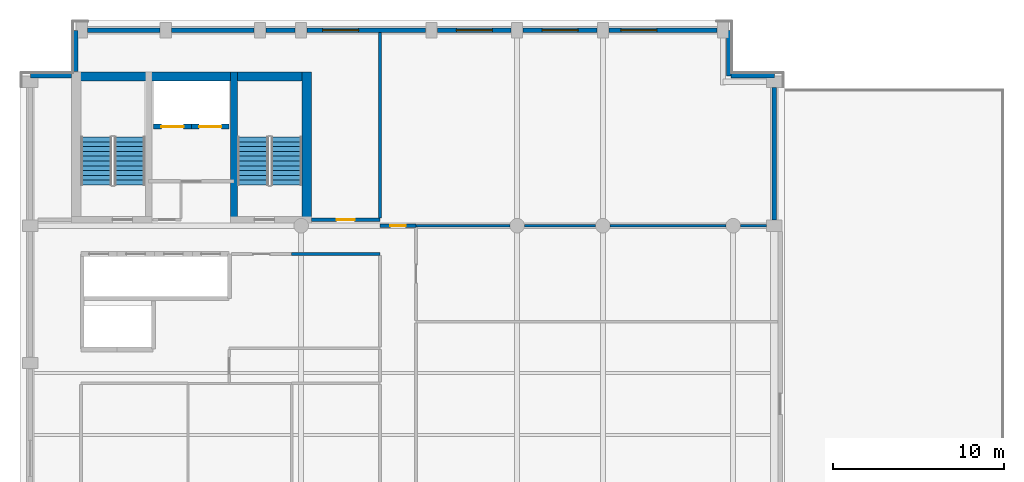
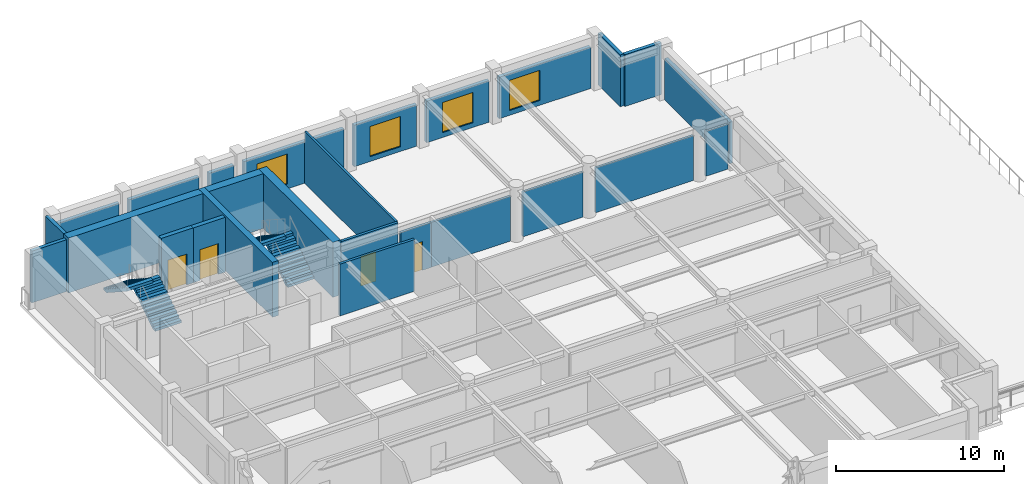
# One storey, part 6 of 9: 25 walls, 4 doors, 4 stair flights, 4 windows, 8 openings, 2 elements without a shape of their own.
"""IFC4 building model written with IfcOpenShell, lengths in metres."""

from ifc_helpers import new_model, si_unit, direction, frame, frame_2d, origin, place, context, subcontext, project, spatial, polyline, rectangle, outline, extrude, material, layer, layer_set, type_object, element, fill, aggregate, save


model = new_model("IFC4")

# Units and contexts
model_context = context("Model", 3, precision=1e-05, world=origin(), true_north=direction((0.0, 1.0)))
body_context = subcontext(model_context, "Body", "Model", "MODEL_VIEW")
ifc_project = project(units=[si_unit("LENGTHUNIT", "METRE"), si_unit("AREAUNIT", "SQUARE_METRE"), si_unit("VOLUMEUNIT", "CUBIC_METRE"), si_unit("PLANEANGLEUNIT", "RADIAN"), si_unit("MASSUNIT", "GRAM", prefix="KILO")], contexts=[model_context])

# Site, building, storey
site_placement = place(None, origin())
site = spatial("IfcSite", under=ifc_project, at=site_placement, CompositionType="ELEMENT")
building_placement = place(site_placement, origin())
building = spatial("IfcBuilding", under=site, at=building_placement, Name="Sulina Concourse Tower", CompositionType="ELEMENT")
storey_placement = place(building_placement, frame((0.0, 0.0, 289.0)))
storey = spatial("IfcBuildingStorey", under=building, at=storey_placement, Name="L70", CompositionType="ELEMENT", Elevation=289.0)

# Wall, opening, door
ifc_material_1 = material(Name="Concrete C50/60", Category="concrete")
ifc_layer_1 = layer(ifc_material_1, 0.300048828125)
ifc_layer_set_1 = layer_set([ifc_layer_1], Name="Concrete C50/60")
wall_type_1 = type_object("IfcWallType", Name="Core Lift Hoistway Wall 300mm", PredefinedType="SOLIDWALL", material=ifc_layer_set_1)
wall_1_placement = place(storey_placement, frame((10.0, 39.780029296875, 0.0), z_axis=(0.0, 0.0, 1.0), x_axis=(-1.0, 0.0, 0.0)))
wall_1 = element("IfcWall", 1, at=wall_1_placement, inside=storey, type_object=wall_type_1, Name="L70 hoistway enclosure wall FFL-1", PredefinedType="SOLIDWALL", context=body_context, shape_type="SweptSolid", body=[
    extrude(rectangle(XDim=2.199951171875, YDim=0.300048828125, at=frame_2d((1.10009765625, 0.0))), origin(), (0.0, 0.0, 1.0), 4.0),
])
opening_1_placement = place(wall_1_placement, frame((0.449951171875, 0.0, 0.0)))
opening_1 = element("IfcOpeningElement", 2, at=opening_1_placement, cuts=wall_1, Name="Opening LD-02", PredefinedType="OPENING", context=body_context, shape_type="SweptSolid", body=[
    extrude(rectangle(XDim=1.300048828125, YDim=2.25, at=frame_2d((0.64990234375, 1.125))), frame((0.0, 0.159912109375, 0.0), z_axis=(0.0, -1.0, 0.0), x_axis=(1.0, 0.0, 0.0)), (0.0, 0.0, 1.0), 0.320068359375),
])
ifc_material_2 = material(Name="Stainless steel lift landing door", Category="steel")
ifc_layer_2 = layer(ifc_material_2, 0.050048828125)
ifc_layer_set_2 = layer_set([ifc_layer_2], Name="Stainless steel lift landing door")
door_type_1 = type_object("IfcDoorType", Name="Firefighting Lift Sliding Landing Door 1300x2250", OperationType="SLIDING_TO_RIGHT", PredefinedType="DOOR", material=ifc_layer_set_2)
door_1_placement = place(opening_1_placement, origin())
door_1 = element("IfcDoor", 3, at=door_1_placement, inside=storey, type_object=door_type_1, Name="L70 lift landing sliding door FFL-1", OperationType="SLIDING_TO_LEFT", OverallHeight=2.25, OverallWidth=1.300048828125, PredefinedType="DOOR", context=body_context, shape_type="SweptSolid", body=[
    extrude(rectangle(XDim=1.300048828125, YDim=2.25, at=frame_2d((0.64990234375, 1.125))), frame((0.0, 0.02490234375, 0.0), z_axis=(0.0, -1.0, 0.0), x_axis=(1.0, 0.0, 0.0)), (0.0, 0.0, 1.0), 0.050048828125),
])
fill(opening_1, door_1)

wall_2_placement = place(storey_placement, frame((12.199951171875, 39.780029296875, 0.0), z_axis=(0.0, 0.0, 1.0), x_axis=(-1.0, 0.0, 0.0)))
wall_2 = element("IfcWall", 4, at=wall_2_placement, inside=storey, type_object=wall_type_1, Name="L70 hoistway enclosure wall FFL-2", PredefinedType="SOLIDWALL", context=body_context, shape_type="SweptSolid", body=[
    extrude(rectangle(XDim=2.199951171875, YDim=0.300048828125, at=frame_2d((1.10009765625, 0.0))), origin(), (0.0, 0.0, 1.0), 4.0),
])
opening_2_placement = place(wall_2_placement, frame((0.449951171875, 0.0, 0.0)))
opening_2 = element("IfcOpeningElement", 5, at=opening_2_placement, cuts=wall_2, Name="Opening LD-02", PredefinedType="OPENING", context=body_context, shape_type="SweptSolid", body=[
    extrude(rectangle(XDim=1.300048828125, YDim=2.25, at=frame_2d((0.64990234375, 1.125))), frame((0.0, 0.159912109375, 0.0), z_axis=(0.0, -1.0, 0.0), x_axis=(1.0, 0.0, 0.0)), (0.0, 0.0, 1.0), 0.320068359375),
])
door_2_placement = place(opening_2_placement, origin())
door_2 = element("IfcDoor", 6, at=door_2_placement, inside=storey, type_object=door_type_1, Name="L70 lift landing sliding door FFL-2", OperationType="SLIDING_TO_RIGHT", OverallHeight=2.25, OverallWidth=1.300048828125, PredefinedType="DOOR", context=body_context, shape_type="SweptSolid", body=[
    extrude(rectangle(XDim=1.300048828125, YDim=2.25, at=frame_2d((0.64990234375, 1.125))), frame((0.0, 0.02490234375, 0.0), z_axis=(0.0, -1.0, 0.0), x_axis=(1.0, 0.0, 0.0)), (0.0, 0.0, 1.0), 0.050048828125),
])
fill(opening_2, door_2)

# Walls
ifc_material_3 = material(Name="Precast concrete C50/60", Category="concrete")
ifc_layer_3 = layer(ifc_material_3, 0.239990234375)
ifc_layer_set_3 = layer_set([ifc_layer_3], Name="Precast concrete C50/60")
wall_type_2 = type_object("IfcWallType", Name="Crown Precast Masonry-Frame Facade Wall 240mm", PredefinedType="SOLIDWALL", material=ifc_layer_set_3)
wall_3_placement = place(storey_placement, frame((3.945068359375, 45.39990234375, 0.0), z_axis=(0.0, 0.0, 1.0), x_axis=(1.0, 0.0, 0.0)))
element("IfcWall", 7, at=wall_3_placement, inside=storey, type_object=wall_type_2, Name="L70 exterior precast wall N1", PredefinedType="SOLIDWALL", context=body_context, shape_type="SweptSolid", body=[
    extrude(rectangle(XDim=4.2099609375, YDim=0.239990234375, at=frame_2d((2.10498046875, 0.0))), origin(), (0.0, 0.0, 1.0), 3.02490234375),
])
wall_4_placement = place(storey_placement, frame((8.844970703125, 45.39990234375, 0.0), z_axis=(0.0, 0.0, 1.0), x_axis=(1.0, 0.0, 0.0)))
element("IfcWall", 8, at=wall_4_placement, inside=storey, type_object=wall_type_2, Name="L70 exterior precast wall N2", PredefinedType="SOLIDWALL", context=body_context, shape_type="SweptSolid", body=[
    extrude(rectangle(XDim=4.81005859375, YDim=0.239990234375, at=frame_2d((2.405029296875, 0.0))), origin(), (0.0, 0.0, 1.0), 3.02490234375),
])
wall_5_placement = place(storey_placement, frame((14.344970703125, 45.39990234375, 0.0), z_axis=(0.0, 0.0, 1.0), x_axis=(1.0, 0.0, 0.0)))
element("IfcWall", 9, at=wall_5_placement, inside=storey, type_object=wall_type_2, Name="L70 exterior precast wall N3", PredefinedType="SOLIDWALL", context=body_context, shape_type="SweptSolid", body=[
    extrude(rectangle(XDim=1.7099609375, YDim=0.239990234375, at=frame_2d((0.85498046875, 0.0))), origin(), (0.0, 0.0, 1.0), 3.02490234375),
])

# Wall, opening, window
wall_6_placement = place(storey_placement, frame((16.7451171875, 45.39990234375, 0.0), z_axis=(0.0, 0.0, 1.0), x_axis=(1.0, 0.0, 0.0)))
wall_6 = element("IfcWall", 10, at=wall_6_placement, inside=storey, type_object=wall_type_2, Name="L70 exterior precast wall N4", PredefinedType="SOLIDWALL", context=body_context, shape_type="SweptSolid", body=[
    extrude(rectangle(XDim=6.909912109375, YDim=0.239990234375, at=frame_2d((3.455078125, 0.0))), origin(), (0.0, 0.0, 1.0), 3.02490234375),
])
opening_3_placement = place(wall_6_placement, frame((0.9033203125, 0.0, 0.35009765625)))
opening_3 = element("IfcOpeningElement", 11, at=opening_3_placement, cuts=wall_6, Name="Opening WN-33", PredefinedType="OPENING", context=body_context, shape_type="SweptSolid", body=[
    extrude(rectangle(XDim=2.10009765625, YDim=2.199951171875, at=frame_2d((1.050048828125, 1.10009765625))), frame((0.0, 0.1298828125, 0.0), z_axis=(0.0, -1.0, 0.0), x_axis=(1.0, 0.0, 0.0)), (0.0, 0.0, 1.0), 0.260009765625),
])
ifc_material_4 = material(Name="Low-E solar double glazing in bronze aluminium", Category="aluminium")
window_type = type_object("IfcWindowType", Name="Punched Masonry-Frame Window 2100x2200", PartitioningType="DOUBLE_PANEL_VERTICAL", PredefinedType="WINDOW", material=ifc_material_4)
window_1_placement = place(opening_3_placement, origin())
window_1 = element("IfcWindow", 12, at=window_1_placement, inside=storey, type_object=window_type, Name="L70 punched window N4-1", OverallHeight=2.199951171875, OverallWidth=2.10009765625, PartitioningType="SINGLE_PANEL", PredefinedType="WINDOW", context=body_context, shape_type="SweptSolid", body=[
    extrude(rectangle(XDim=2.10009765625, YDim=2.199951171875, at=frame_2d((1.050048828125, 1.10009765625))), frame((0.0, 0.030029296875, 0.0), z_axis=(0.0, -1.0, 0.0), x_axis=(1.0, 0.0, 0.0)), (0.0, 0.0, 1.0), 0.06005859375),
])
fill(opening_3, window_1)

wall_7_placement = place(storey_placement, frame((24.344970703125, 45.39990234375, 0.0), z_axis=(0.0, 0.0, 1.0), x_axis=(1.0, 0.0, 0.0)))
wall_7 = element("IfcWall", 13, at=wall_7_placement, inside=storey, type_object=wall_type_2, Name="L70 exterior precast wall N5", PredefinedType="SOLIDWALL", context=body_context, shape_type="SweptSolid", body=[
    extrude(rectangle(XDim=4.31005859375, YDim=0.239990234375, at=frame_2d((2.155029296875, 0.0))), origin(), (0.0, 0.0, 1.0), 3.02490234375),
])
opening_4_placement = place(wall_7_placement, frame((1.10498046875, 0.0, 0.35009765625)))
opening_4 = element("IfcOpeningElement", 14, at=opening_4_placement, cuts=wall_7, Name="Opening WN-33", PredefinedType="OPENING", context=body_context, shape_type="SweptSolid", body=[
    extrude(rectangle(XDim=2.10009765625, YDim=2.199951171875, at=frame_2d((1.050048828125, 1.10009765625))), frame((0.0, 0.1298828125, 0.0), z_axis=(0.0, -1.0, 0.0), x_axis=(1.0, 0.0, 0.0)), (0.0, 0.0, 1.0), 0.260009765625),
])
window_2_placement = place(opening_4_placement, origin())
window_2 = element("IfcWindow", 15, at=window_2_placement, inside=storey, type_object=window_type, Name="L70 punched window N5-1", OverallHeight=2.199951171875, OverallWidth=2.10009765625, PartitioningType="SINGLE_PANEL", PredefinedType="WINDOW", context=body_context, shape_type="SweptSolid", body=[
    extrude(rectangle(XDim=2.10009765625, YDim=2.199951171875, at=frame_2d((1.050048828125, 1.10009765625))), frame((0.0, 0.030029296875, 0.0), z_axis=(0.0, -1.0, 0.0), x_axis=(1.0, 0.0, 0.0)), (0.0, 0.0, 1.0), 0.06005859375),
])
fill(opening_4, window_2)

wall_8_placement = place(storey_placement, frame((29.344970703125, 45.39990234375, 0.0), z_axis=(0.0, 0.0, 1.0), x_axis=(1.0, 0.0, 0.0)))
wall_8 = element("IfcWall", 16, at=wall_8_placement, inside=storey, type_object=wall_type_2, Name="L70 exterior precast wall N6", PredefinedType="SOLIDWALL", context=body_context, shape_type="SweptSolid", body=[
    extrude(rectangle(XDim=4.31005859375, YDim=0.239990234375, at=frame_2d((2.155029296875, 0.0))), origin(), (0.0, 0.0, 1.0), 3.02490234375),
])
opening_5_placement = place(wall_8_placement, frame((1.10498046875, 0.0, 0.35009765625)))
opening_5 = element("IfcOpeningElement", 17, at=opening_5_placement, cuts=wall_8, Name="Opening WN-33", PredefinedType="OPENING", context=body_context, shape_type="SweptSolid", body=[
    extrude(rectangle(XDim=2.10009765625, YDim=2.199951171875, at=frame_2d((1.050048828125, 1.10009765625))), frame((0.0, 0.1298828125, 0.0), z_axis=(0.0, -1.0, 0.0), x_axis=(1.0, 0.0, 0.0)), (0.0, 0.0, 1.0), 0.260009765625),
])
window_3_placement = place(opening_5_placement, origin())
window_3 = element("IfcWindow", 18, at=window_3_placement, inside=storey, type_object=window_type, Name="L70 punched window N6-1", OverallHeight=2.199951171875, OverallWidth=2.10009765625, PartitioningType="SINGLE_PANEL", PredefinedType="WINDOW", context=body_context, shape_type="SweptSolid", body=[
    extrude(rectangle(XDim=2.10009765625, YDim=2.199951171875, at=frame_2d((1.050048828125, 1.10009765625))), frame((0.0, 0.030029296875, 0.0), z_axis=(0.0, -1.0, 0.0), x_axis=(1.0, 0.0, 0.0)), (0.0, 0.0, 1.0), 0.06005859375),
])
fill(opening_5, window_3)

wall_9_placement = place(storey_placement, frame((34.344970703125, 45.39990234375, 0.0), z_axis=(0.0, 0.0, 1.0), x_axis=(1.0, 0.0, 0.0)))
wall_9 = element("IfcWall", 19, at=wall_9_placement, inside=storey, type_object=wall_type_2, Name="L70 exterior precast wall N7", PredefinedType="SOLIDWALL", context=body_context, shape_type="SweptSolid", body=[
    extrude(rectangle(XDim=6.31005859375, YDim=0.239990234375, at=frame_2d((3.155029296875, 0.0))), origin(), (0.0, 0.0, 1.0), 3.02490234375),
])
opening_6_placement = place(wall_9_placement, frame((0.703369140625, 0.0, 0.35009765625)))
opening_6 = element("IfcOpeningElement", 20, at=opening_6_placement, cuts=wall_9, Name="Opening WN-33", PredefinedType="OPENING", context=body_context, shape_type="SweptSolid", body=[
    extrude(rectangle(XDim=2.10009765625, YDim=2.199951171875, at=frame_2d((1.050048828125, 1.10009765625))), frame((0.0, 0.1298828125, 0.0), z_axis=(0.0, -1.0, 0.0), x_axis=(1.0, 0.0, 0.0)), (0.0, 0.0, 1.0), 0.260009765625),
])
window_4_placement = place(opening_6_placement, origin())
window_4 = element("IfcWindow", 21, at=window_4_placement, inside=storey, type_object=window_type, Name="L70 punched window N7-1", OverallHeight=2.199951171875, OverallWidth=2.10009765625, PartitioningType="SINGLE_PANEL", PredefinedType="WINDOW", context=body_context, shape_type="SweptSolid", body=[
    extrude(rectangle(XDim=2.10009765625, YDim=2.199951171875, at=frame_2d((1.050048828125, 1.10009765625))), frame((0.0, 0.030029296875, 0.0), z_axis=(0.0, -1.0, 0.0), x_axis=(1.0, 0.0, 0.0)), (0.0, 0.0, 1.0), 0.06005859375),
])
fill(opening_6, window_4)

# Walls
wall_10_placement = place(storey_placement, frame((44.0, 42.054931640625, 0.0), z_axis=(0.0, 0.0, 1.0), x_axis=(0.0, -1.0, 0.0)))
element("IfcWall", 22, at=wall_10_placement, inside=storey, type_object=wall_type_2, Name="L70 exterior precast wall E3", PredefinedType="SOLIDWALL", context=body_context, shape_type="SweptSolid", body=[
    extrude(rectangle(XDim=7.7099609375, YDim=0.239990234375, at=frame_2d((3.85498046875, 0.0))), origin(), (0.0, 0.0, 1.0), 3.02490234375),
])
wall_11_placement = place(storey_placement, frame((0.60009765625, 42.7451171875, 0.0), z_axis=(0.0, 0.0, 1.0), x_axis=(1.0, 0.0, 0.0)))
element("IfcWall", 23, at=wall_11_placement, inside=storey, type_object=wall_type_2, Name="L70 exterior precast wall CNW1", PredefinedType="SOLIDWALL", context=body_context, shape_type="SweptSolid", body=[
    extrude(rectangle(XDim=2.39501953125, YDim=0.239990234375, at=frame_2d((1.197509765625, 0.0))), origin(), (0.0, 0.0, 1.0), 3.77490234375),
])
wall_12_placement = place(storey_placement, frame((3.2548828125, 42.985107421875, 0.0), z_axis=(0.0, 0.0, 1.0), x_axis=(0.0, 1.0, 0.0)))
element("IfcWall", 24, at=wall_12_placement, inside=storey, type_object=wall_type_2, Name="L70 exterior precast wall CNW2", PredefinedType="SOLIDWALL", context=body_context, shape_type="SweptSolid", body=[
    extrude(rectangle(XDim=2.414794921875, YDim=0.239990234375, at=frame_2d((1.20751953125, 0.0))), origin(), (0.0, 0.0, 1.0), 3.77490234375),
])
wall_13_placement = place(storey_placement, frame((41.344970703125, 45.39990234375, 0.0), z_axis=(0.0, 0.0, 1.0), x_axis=(0.0, -1.0, 0.0)))
element("IfcWall", 25, at=wall_13_placement, inside=storey, type_object=wall_type_2, Name="L70 exterior precast wall CNE1", PredefinedType="SOLIDWALL", context=body_context, shape_type="SweptSolid", body=[
    extrude(rectangle(XDim=2.65478515625, YDim=0.239990234375, at=frame_2d((1.327392578125, 0.0))), origin(), (0.0, 0.0, 1.0), 3.77490234375),
])
wall_14_placement = place(storey_placement, frame((41.469970703125, 42.7451171875, 0.0), z_axis=(0.0, 0.0, 1.0), x_axis=(1.0, 0.0, 0.0)))
element("IfcWall", 26, at=wall_14_placement, inside=storey, type_object=wall_type_2, Name="L70 exterior precast wall CNE2", PredefinedType="SOLIDWALL", context=body_context, shape_type="SweptSolid", body=[
    extrude(rectangle(XDim=2.530029296875, YDim=0.239990234375, at=frame_2d((1.26513671875, 0.0))), origin(), (0.0, 0.0, 1.0), 3.77490234375),
])
ifc_material_5 = material(Name="Gypsum board on steel stud", Category="steel")
ifc_layer_4 = layer(ifc_material_5, 0.14990234375)
ifc_layer_set_4 = layer_set([ifc_layer_4], Name="Gypsum board on steel stud")
wall_type_3 = type_object("IfcWallType", Name="Inter-Tenancy Acoustic Partition 150mm", PredefinedType="PARTITIONING", material=ifc_layer_set_4)
wall_15_placement = place(storey_placement, frame((23.10009765625, 34.0, 0.0), z_axis=(0.0, 0.0, 1.0), x_axis=(1.0, 0.0, 0.0)))
element("IfcWall", 27, at=wall_15_placement, inside=storey, type_object=wall_type_3, Name="L70 interior partition 020", PredefinedType="PARTITIONING", context=body_context, shape_type="SweptSolid", body=[
    extrude(rectangle(XDim=5.474853515625, YDim=0.14990234375, at=frame_2d((2.7373046875, 0.0))), origin(), (0.0, 0.0, 1.0), 3.27001953125),
])
wall_16_placement = place(storey_placement, frame((29.425048828125, 34.0, 0.0), z_axis=(0.0, 0.0, 1.0), x_axis=(1.0, 0.0, 0.0)))
element("IfcWall", 28, at=wall_16_placement, inside=storey, type_object=wall_type_3, Name="L70 interior partition 021", PredefinedType="PARTITIONING", context=body_context, shape_type="SweptSolid", body=[
    extrude(rectangle(XDim=4.14990234375, YDim=0.14990234375, at=frame_2d((2.074951171875, 0.0))), origin(), (0.0, 0.0, 1.0), 3.27001953125),
])
wall_17_placement = place(storey_placement, frame((34.425048828125, 34.0, 0.0), z_axis=(0.0, 0.0, 1.0), x_axis=(1.0, 0.0, 0.0)))
element("IfcWall", 29, at=wall_17_placement, inside=storey, type_object=wall_type_3, Name="L70 interior partition 022", PredefinedType="PARTITIONING", context=body_context, shape_type="SweptSolid", body=[
    extrude(rectangle(XDim=6.75, YDim=0.14990234375, at=frame_2d((3.375, 0.0))), origin(), (0.0, 0.0, 1.0), 3.27001953125),
])
wall_18_placement = place(storey_placement, frame((42.02490234375, 34.0, 0.0), z_axis=(0.0, 0.0, 1.0), x_axis=(1.0, 0.0, 0.0)))
element("IfcWall", 30, at=wall_18_placement, inside=storey, type_object=wall_type_3, Name="L70 interior partition 023", PredefinedType="PARTITIONING", context=body_context, shape_type="SweptSolid", body=[
    extrude(rectangle(XDim=1.525146484375, YDim=0.14990234375, at=frame_2d((0.7626953125, 0.0))), origin(), (0.0, 0.0, 1.0), 3.27001953125),
])
wall_19_placement = place(storey_placement, frame((21.0, 34.43994140625, 0.0), z_axis=(0.0, 0.0, 1.0), x_axis=(0.0, 1.0, 0.0)))
element("IfcWall", 31, at=wall_19_placement, inside=storey, type_object=wall_type_3, Name="L70 interior partition 037", PredefinedType="PARTITIONING", context=body_context, shape_type="SweptSolid", body=[
    extrude(rectangle(XDim=10.840087890625, YDim=0.14990234375, at=frame_2d((5.419921875, 0.0))), origin(), (0.0, 0.0, 1.0), 3.77490234375),
])
ifc_material_6 = material(Name="Gypsum board on steel stud", Category="steel")
ifc_layer_5 = layer(ifc_material_6, 0.179931640625)
ifc_layer_set_5 = layer_set([ifc_layer_5], Name="Gypsum board on steel stud")
wall_type_4 = type_object("IfcWallType", Name="Protected Corridor & Riser Partition 180mm", PredefinedType="PARTITIONING", material=ifc_layer_set_5)
wall_20_placement = place(storey_placement, frame((15.85009765625, 32.35009765625, 0.0), z_axis=(0.0, 0.0, 1.0), x_axis=(1.0, 0.0, 0.0)))
element("IfcWall", 32, at=wall_20_placement, inside=storey, type_object=wall_type_4, Name="L70 interior partition 018", PredefinedType="PARTITIONING", context=body_context, shape_type="SweptSolid", body=[
    extrude(rectangle(XDim=5.14990234375, YDim=0.179931640625, at=frame_2d((2.574951171875, 0.0))), origin(), (0.0, 0.0, 1.0), 3.77490234375),
])

# Wall, opening, door
wall_21_placement = place(storey_placement, frame((21.0, 34.0, 0.0), z_axis=(0.0, 0.0, 1.0), x_axis=(1.0, 0.0, 0.0)))
wall_21 = element("IfcWall", 33, at=wall_21_placement, inside=storey, type_object=wall_type_4, Name="L70 interior partition 019", PredefinedType="PARTITIONING", context=body_context, shape_type="SweptSolid", body=[
    extrude(rectangle(XDim=2.10009765625, YDim=0.179931640625, at=frame_2d((1.050048828125, 0.0))), origin(), (0.0, 0.0, 1.0), 3.27001953125),
])
opening_7_placement = place(wall_21_placement, frame((0.610107421875, 0.0, 0.0)))
opening_7 = element("IfcOpeningElement", 34, at=opening_7_placement, cuts=wall_21, Name="Opening DR-38", PredefinedType="OPENING", context=body_context, shape_type="SweptSolid", body=[
    extrude(rectangle(XDim=0.8798828125, YDim=2.10009765625, at=frame_2d((0.43994140625, 1.050048828125))), frame((0.0, 0.099853515625, 0.0), z_axis=(0.0, -1.0, 0.0), x_axis=(1.0, 0.0, 0.0)), (0.0, 0.0, 1.0), 0.199951171875),
])
ifc_material_7 = material(Name="Galvanised steel acoustic fire leaf", Category="steel")
ifc_layer_6 = layer(ifc_material_7, 0.050048828125)
ifc_layer_set_6 = layer_set([ifc_layer_6], Name="Galvanised steel acoustic fire leaf")
door_type_2 = type_object("IfcDoorType", Name="Service Riser Fire Door 880x2100", OperationType="NOTDEFINED", PredefinedType="DOOR", material=ifc_layer_set_6)
door_3_placement = place(opening_7_placement, origin())
door_3 = element("IfcDoor", 35, at=door_3_placement, inside=storey, type_object=door_type_2, Name="L70 interior door L70-CR-N2", OperationType="SINGLE_SWING_LEFT", OverallHeight=2.10009765625, OverallWidth=0.8798828125, PredefinedType="DOOR", context=body_context, shape_type="SweptSolid", body=[
    extrude(rectangle(XDim=0.8798828125, YDim=2.10009765625, at=frame_2d((0.43994140625, 1.050048828125))), frame((0.0, 0.02490234375, 0.0), z_axis=(0.0, -1.0, 0.0), x_axis=(1.0, 0.0, 0.0)), (0.0, 0.0, 1.0), 0.050048828125),
])
fill(opening_7, door_3)

wall_22_placement = place(storey_placement, frame((17.0, 34.35009765625, 0.0), z_axis=(0.0, 0.0, 1.0), x_axis=(1.0, 0.0, 0.0)))
wall_22 = element("IfcWall", 36, at=wall_22_placement, inside=storey, type_object=wall_type_4, Name="L70 interior partition 026", PredefinedType="PARTITIONING", context=body_context, shape_type="SweptSolid", body=[
    extrude(rectangle(XDim=4.0, YDim=0.179931640625, at=frame_2d((2.0, 0.0))), origin(), (0.0, 0.0, 1.0), 3.77490234375),
])
opening_8_placement = place(wall_22_placement, frame((1.47509765625, 0.0, 0.0)))
opening_8 = element("IfcOpeningElement", 37, at=opening_8_placement, cuts=wall_22, Name="Opening DR-37", PredefinedType="OPENING", context=body_context, shape_type="SweptSolid", body=[
    extrude(rectangle(XDim=1.050048828125, YDim=2.14990234375, at=frame_2d((0.52490234375, 1.074951171875))), frame((0.0, 0.099853515625, 0.0), z_axis=(0.0, -1.0, 0.0), x_axis=(1.0, 0.0, 0.0)), (0.0, 0.0, 1.0), 0.199951171875),
])
ifc_material_8 = material(Name="Oak-veneered fire door leaf")
ifc_layer_7 = layer(ifc_material_8, 0.050048828125)
ifc_layer_set_7 = layer_set([ifc_layer_7], Name="Oak-veneered fire door leaf")
door_type_3 = type_object("IfcDoorType", Name="Tenant Suite Entrance Fire Door 1050x2150", OperationType="NOTDEFINED", PredefinedType="DOOR", material=ifc_layer_set_7)
door_4_placement = place(opening_8_placement, origin())
door_4 = element("IfcDoor", 38, at=door_4_placement, inside=storey, type_object=door_type_3, Name="L70 interior door L70-CR-N1", OperationType="SINGLE_SWING_LEFT", OverallHeight=2.14990234375, OverallWidth=1.050048828125, PredefinedType="DOOR", context=body_context, shape_type="SweptSolid", body=[
    extrude(rectangle(XDim=1.050048828125, YDim=2.14990234375, at=frame_2d((0.52490234375, 1.074951171875))), frame((0.0, 0.02490234375, 0.0), z_axis=(0.0, -1.0, 0.0), x_axis=(1.0, 0.0, 0.0)), (0.0, 0.0, 1.0), 0.050048828125),
])
fill(opening_8, door_4)

# Walls
ifc_material_9 = material(Name="Concrete C60/75", Category="concrete")
ifc_layer_8 = layer(ifc_material_9, 0.39990234375)
ifc_layer_set_8 = layer_set([ifc_layer_8], Name="Concrete C60/75")
wall_type_5 = type_object("IfcWallType", Name="Protected Stair Core Shear Wall 400mm", PredefinedType="SHEAR", material=ifc_layer_set_8)
wall_23_placement = place(storey_placement, frame((12.489990234375, 34.14990234375, 0.0), z_axis=(0.0, 0.0, 1.0), x_axis=(0.0, 1.0, 0.0)))
element("IfcWall", 39, at=wall_23_placement, inside=storey, type_object=wall_type_5, Name="L70 west core shear wall SW-ST2", PredefinedType="SHEAR", context=body_context, shape_type="SweptSolid", body=[
    extrude(rectangle(XDim=8.830078125, YDim=0.39990234375, at=frame_2d((4.4150390625, 0.0))), origin(), (0.0, 0.0, 1.0), 4.0),
])
ifc_material_10 = material(Name="Concrete C50/60", Category="concrete")
ifc_layer_9 = layer(ifc_material_10, 0.550048828125)
ifc_layer_set_9 = layer_set([ifc_layer_9], Name="Concrete C50/60")
wall_type_6 = type_object("IfcWallType", Name="Upper Core Shear Wall 550mm", PredefinedType="SHEAR", material=ifc_layer_set_9)
wall_24_placement = place(storey_placement, frame((3.0, 42.705078125, 0.0), z_axis=(0.0, 0.0, 1.0), x_axis=(1.0, 0.0, 0.0)))
element("IfcWall", 40, at=wall_24_placement, inside=storey, type_object=wall_type_6, Name="L70 west core shear wall CW-WN", PredefinedType="SHEAR", context=body_context, shape_type="SweptSolid", body=[
    extrude(rectangle(XDim=14.0, YDim=0.550048828125, at=frame_2d((7.0, 0.0))), origin(), (0.0, 0.0, 1.0), 4.0),
])
wall_25_placement = place(storey_placement, frame((16.72509765625, 34.14990234375, 0.0), z_axis=(0.0, 0.0, 1.0), x_axis=(0.0, 1.0, 0.0)))
element("IfcWall", 41, at=wall_25_placement, inside=storey, type_object=wall_type_6, Name="L70 west core shear wall CW-WE", PredefinedType="SHEAR", context=body_context, shape_type="SweptSolid", body=[
    extrude(rectangle(XDim=8.830078125, YDim=0.550048828125, at=frame_2d((4.4150390625, 0.0))), origin(), (0.0, 0.0, 1.0), 4.0),
])

# Stair, stair flights
ifc_material_11 = material(Name="Concrete C50/60", Category="concrete")
stair_type = type_object("IfcStairType", Name="Primary Core Dog-Leg Exit Stair 1800mm", PredefinedType="HALF_TURN_STAIR", material=ifc_material_11)
stair_1_placement = place(storey_placement, origin())
stair_1 = element("IfcStair", 42, at=stair_1_placement, inside=storey, type_object=stair_type, Name="L70 ST-1", PredefinedType="HALF_TURN_STAIR")
ifc_material_12 = material(Name="Concrete C50/60", Category="concrete")
stair_flight_type = type_object("IfcStairFlightType", Name="Primary Core Dog-Leg Exit Stair 1800mm Flight", PredefinedType="STRAIGHT", material=ifc_material_12)
stair_flight_1_placement = place(storey_placement, frame((6.405029296875, 36.375, 0.0), z_axis=(0.0, 0.0, 1.0), x_axis=(0.0, 1.0, 0.0)))
stair_flight_1 = element("IfcStairFlight", 43, at=stair_flight_1_placement, type_object=stair_flight_type, Name="ST-1 flight 1", NumberOfRisers=11, NumberOfTreads=10, PredefinedType="STRAIGHT", RiserHeight=0.181818182, TreadLength=0.28, context=body_context, shape_type="SweptSolid", body=[
    extrude(outline(polyline([(0.0, 0.0), (0.0, 0.181884765625), (0.280029296875, 0.181884765625), (0.280029296875, 0.363525390625), (0.56005859375, 0.363525390625), (0.56005859375, 0.54541015625), (0.840087890625, 0.54541015625), (0.840087890625, 0.727294921875), (1.1201171875, 0.727294921875), (1.1201171875, 0.9091796875), (1.39990234375, 0.9091796875), (1.39990234375, 1.0908203125), (1.679931640625, 1.0908203125), (1.679931640625, 1.272705078125), (1.9599609375, 1.272705078125), (1.9599609375, 1.45458984375), (2.239990234375, 1.45458984375), (2.239990234375, 1.636474609375), (2.52001953125, 1.636474609375), (2.52001953125, 1.818115234375), (2.800048828125, 1.818115234375), (2.800048828125, 2.0), (2.800048828125, 1.603759765625), (0.330322265625, 0.0), (0.0, 0.0)])), frame((0.0, 0.89990234375, 0.0), z_axis=(0.0, -1.0, 0.0), x_axis=(1.0, 0.0, 0.0)), (0.0, 0.0, 1.0), 1.800048828125),
])
stair_flight_2_placement = place(storey_placement, frame((4.455078125, 39.175048828125, 2.0), z_axis=(0.0, 0.0, 1.0), x_axis=(0.0, -1.0, 0.0)))
stair_flight_2 = element("IfcStairFlight", 44, at=stair_flight_2_placement, type_object=stair_flight_type, Name="ST-1 flight 2", NumberOfRisers=11, NumberOfTreads=10, PredefinedType="STRAIGHT", RiserHeight=0.181818182, TreadLength=0.28, context=body_context, shape_type="SweptSolid", body=[
    extrude(outline(polyline([(0.0, 0.0), (0.0, 0.181884765625), (0.280029296875, 0.181884765625), (0.280029296875, 0.363525390625), (0.56005859375, 0.363525390625), (0.56005859375, 0.54541015625), (0.840087890625, 0.54541015625), (0.840087890625, 0.727294921875), (1.1201171875, 0.727294921875), (1.1201171875, 0.9091796875), (1.39990234375, 0.9091796875), (1.39990234375, 1.0908203125), (1.679931640625, 1.0908203125), (1.679931640625, 1.272705078125), (1.9599609375, 1.272705078125), (1.9599609375, 1.45458984375), (2.239990234375, 1.45458984375), (2.239990234375, 1.636474609375), (2.52001953125, 1.636474609375), (2.52001953125, 1.818115234375), (2.800048828125, 1.818115234375), (2.800048828125, 2.0), (2.800048828125, 1.603759765625), (0.330322265625, 0.0), (0.0, 0.0)])), frame((0.0, 0.89990234375, 0.0), z_axis=(0.0, -1.0, 0.0), x_axis=(1.0, 0.0, 0.0)), (0.0, 0.0, 1.0), 1.800048828125),
])
aggregate(stair_1, [stair_flight_1, stair_flight_2])

stair_2_placement = place(storey_placement, origin())
stair_2 = element("IfcStair", 45, at=stair_2_placement, inside=storey, type_object=stair_type, Name="L70 ST-2", PredefinedType="HALF_TURN_STAIR")
stair_flight_3_placement = place(storey_placement, frame((15.544921875, 36.375, 0.0), z_axis=(0.0, 0.0, 1.0), x_axis=(0.0, 1.0, 0.0)))
stair_flight_3 = element("IfcStairFlight", 46, at=stair_flight_3_placement, type_object=stair_flight_type, Name="ST-2 flight 1", NumberOfRisers=11, NumberOfTreads=10, PredefinedType="STRAIGHT", RiserHeight=0.181818182, TreadLength=0.28, context=body_context, shape_type="SweptSolid", body=[
    extrude(outline(polyline([(0.0, 0.0), (0.0, 0.181884765625), (0.280029296875, 0.181884765625), (0.280029296875, 0.363525390625), (0.56005859375, 0.363525390625), (0.56005859375, 0.54541015625), (0.840087890625, 0.54541015625), (0.840087890625, 0.727294921875), (1.1201171875, 0.727294921875), (1.1201171875, 0.9091796875), (1.39990234375, 0.9091796875), (1.39990234375, 1.0908203125), (1.679931640625, 1.0908203125), (1.679931640625, 1.272705078125), (1.9599609375, 1.272705078125), (1.9599609375, 1.45458984375), (2.239990234375, 1.45458984375), (2.239990234375, 1.636474609375), (2.52001953125, 1.636474609375), (2.52001953125, 1.818115234375), (2.800048828125, 1.818115234375), (2.800048828125, 2.0), (2.800048828125, 1.603759765625), (0.330322265625, 0.0), (0.0, 0.0)])), frame((0.0, 0.89990234375, 0.0), z_axis=(0.0, -1.0, 0.0), x_axis=(1.0, 0.0, 0.0)), (0.0, 0.0, 1.0), 1.800048828125),
])
stair_flight_4_placement = place(storey_placement, frame((13.594970703125, 39.175048828125, 2.0), z_axis=(0.0, 0.0, 1.0), x_axis=(0.0, -1.0, 0.0)))
stair_flight_4 = element("IfcStairFlight", 47, at=stair_flight_4_placement, type_object=stair_flight_type, Name="ST-2 flight 2", NumberOfRisers=11, NumberOfTreads=10, PredefinedType="STRAIGHT", RiserHeight=0.181818182, TreadLength=0.28, context=body_context, shape_type="SweptSolid", body=[
    extrude(outline(polyline([(0.0, 0.0), (0.0, 0.181884765625), (0.280029296875, 0.181884765625), (0.280029296875, 0.363525390625), (0.56005859375, 0.363525390625), (0.56005859375, 0.54541015625), (0.840087890625, 0.54541015625), (0.840087890625, 0.727294921875), (1.1201171875, 0.727294921875), (1.1201171875, 0.9091796875), (1.39990234375, 0.9091796875), (1.39990234375, 1.0908203125), (1.679931640625, 1.0908203125), (1.679931640625, 1.272705078125), (1.9599609375, 1.272705078125), (1.9599609375, 1.45458984375), (2.239990234375, 1.45458984375), (2.239990234375, 1.636474609375), (2.52001953125, 1.636474609375), (2.52001953125, 1.818115234375), (2.800048828125, 1.818115234375), (2.800048828125, 2.0), (2.800048828125, 1.603759765625), (0.330322265625, 0.0), (0.0, 0.0)])), frame((0.0, 0.89990234375, 0.0), z_axis=(0.0, -1.0, 0.0), x_axis=(1.0, 0.0, 0.0)), (0.0, 0.0, 1.0), 1.800048828125),
])
aggregate(stair_2, [stair_flight_3, stair_flight_4])

save(model, "model.ifc")
